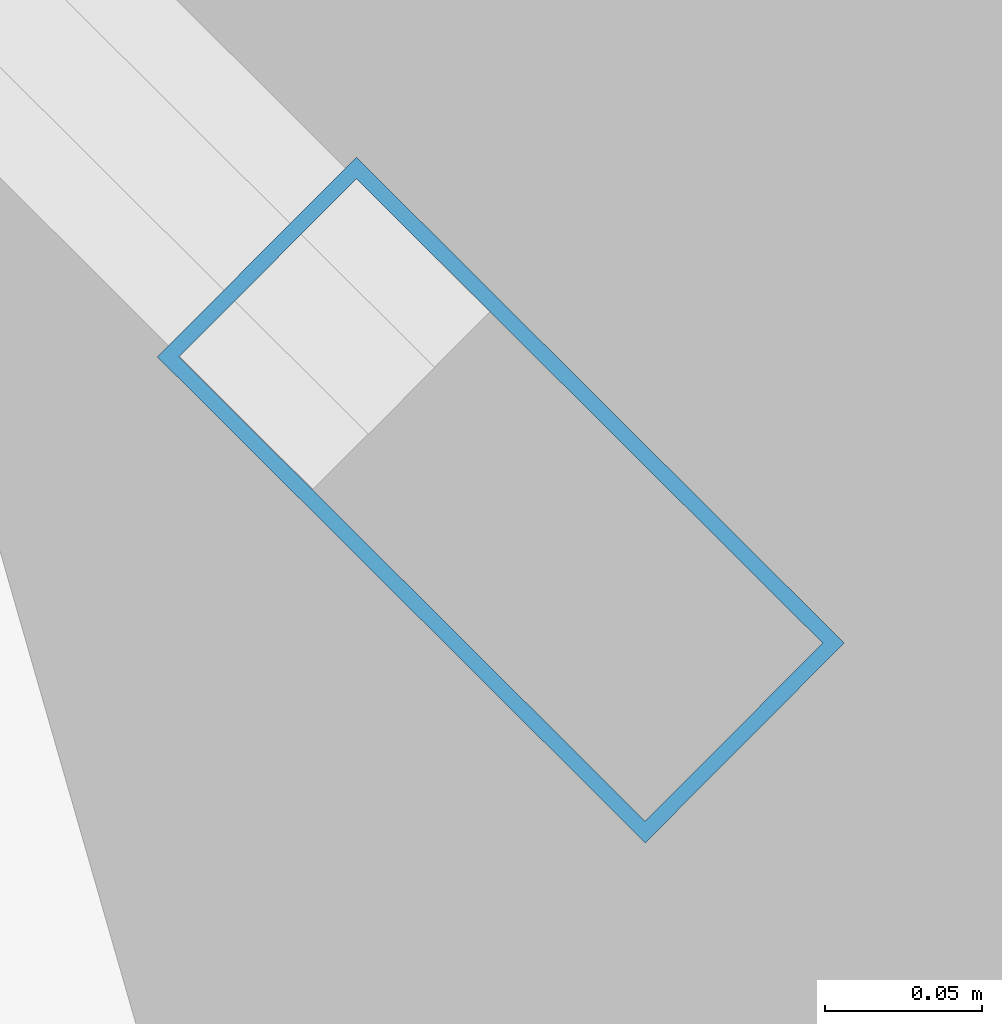
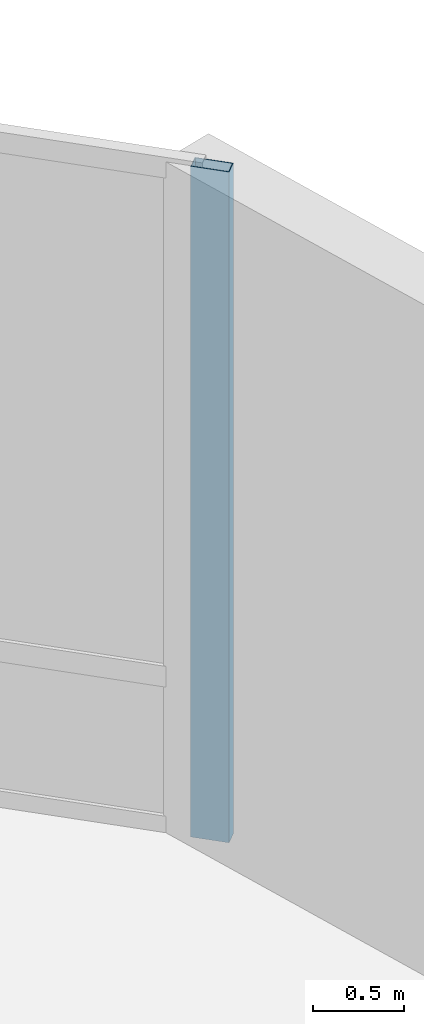
# One storey, part 16 of 36: 1 member, 1 element without a shape of its own.
"""IFC4 building model written with IfcOpenShell, lengths in metres."""

from ifc_helpers import new_model, si_unit, direction, frame, origin, origin_2d, place, context, subcontext, project, spatial, hollow_rectangle, extrude, material, layer, layer_set, material_profile, profile_set, type_object, element, aggregate, save


model = new_model("IFC4")

# Units and contexts
model_context = context("Model", 3, precision=1e-05, world=origin(), true_north=direction((0.0, 1.0)))
body_context = subcontext(model_context, "Body", "Model", "MODEL_VIEW")
ifc_project = project(units=[si_unit("LENGTHUNIT", "METRE"), si_unit("AREAUNIT", "SQUARE_METRE"), si_unit("VOLUMEUNIT", "CUBIC_METRE"), si_unit("PLANEANGLEUNIT", "RADIAN"), si_unit("MASSUNIT", "GRAM", prefix="KILO")], contexts=[model_context])

# Site, building, storey
site_placement = place(None, origin())
site = spatial("IfcSite", under=ifc_project, at=site_placement, CompositionType="ELEMENT")
building_placement = place(site_placement, origin())
building = spatial("IfcBuilding", under=site, at=building_placement, Name="Kazevale Care Tower and Concert Hall", CompositionType="ELEMENT")
storey_placement = place(building_placement, frame((0.0, 0.0, 14.39990234375)))
storey = spatial("IfcBuildingStorey", under=building, at=storey_placement, Name="L03", CompositionType="ELEMENT", Elevation=14.39990234375)

# Curtain wall, member
ifc_material_1 = material(Name="Aluminium 6063-T6 and Low-E Glass", Category="aluminium")
ifc_layer = layer(ifc_material_1, 0.179931640625)
ifc_layer_set = layer_set([ifc_layer], Name="Aluminium 6063-T6 and Low-E Glass")
curtain_wall_type = type_object("IfcCurtainWallType", Name="Podium Double-Skin Medical Curtain Wall CW-1", PredefinedType="NOTDEFINED", material=ifc_layer_set)
curtain_wall_placement = place(storey_placement, origin())
curtain_wall = element("IfcCurtainWall", 1, at=curtain_wall_placement, inside=storey, type_object=curtain_wall_type, Name="cw:L03:pod:02", PredefinedType="NOTDEFINED")
ifc_material_2 = material(Name="Aluminium 6063-T6", Category="aluminium")
ifc_material_profile = material_profile(ifc_material_2, hollow_rectangle(XDim=0.090087890625, YDim=0.219970703125, WallThickness=0.0048828125, at=origin_2d()), Name="ALU90x220x5")
ifc_profile_set = profile_set([ifc_material_profile], Name="Aluminium 6063-T6")
member_type = type_object("IfcMemberType", Name="CW-1 Mullion ALU90x220x5", PredefinedType="MULLION", material=ifc_profile_set)
member_placement = place(storey_placement, frame((83.06103515625, 52.601806640625, 0.0), z_axis=(0.0, 0.0, 1.0), x_axis=(-0.705655814257, -0.708554776856, 0.0)))
member = element("IfcMember", 2, at=member_placement, type_object=member_type, Name="CW-1 mullion 1", PredefinedType="MULLION", context=body_context, shape_type="SweptSolid", body=[
    extrude(hollow_rectangle(XDim=0.090087890625, YDim=0.219970703125, WallThickness=0.0048828125, at=origin_2d()), origin(), (0.0, 0.0, 1.0), 4.52001953125),
])
aggregate(curtain_wall, [member])

save(model, "model.ifc")
